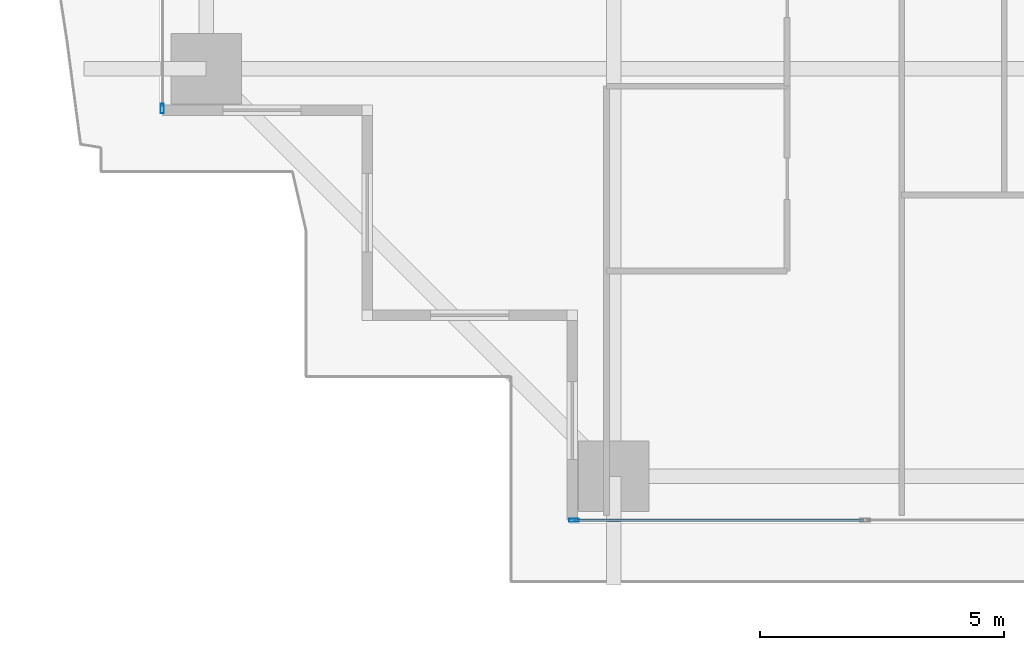
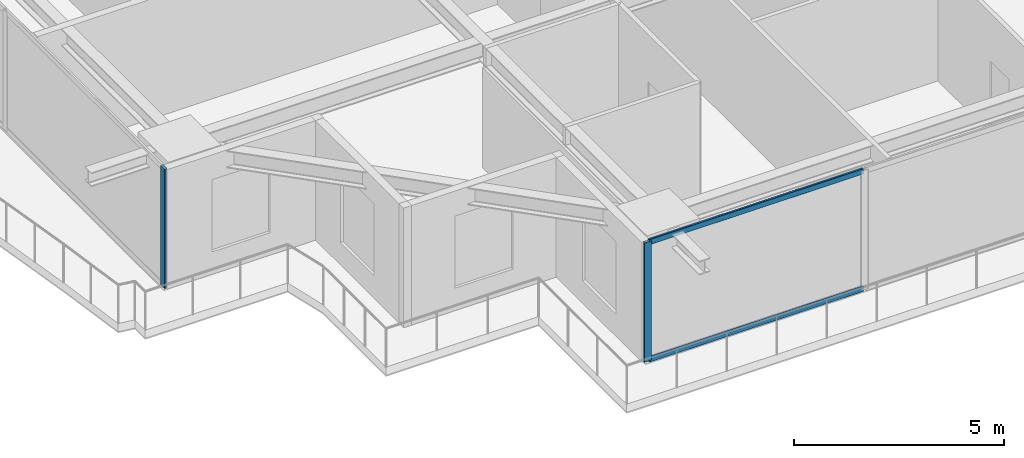
# One storey, part 2 of 34: 4 members, 2 elements without a shape of their own.
"""IFC4 building model written with IfcOpenShell, lengths in metres."""

from ifc_helpers import new_model, si_unit, direction, frame, origin, origin_2d, place, context, subcontext, project, spatial, hollow_rectangle, extrude, source, transform, mapped, material, layer, layer_set, material_profile, profile_set, type_object, element, aggregate, save


model = new_model("IFC4")

# Units and contexts
model_context = context("Model", 3, precision=1e-05, world=origin(), true_north=direction((0.0, 1.0)))
body_context = subcontext(model_context, "Body", "Model", "MODEL_VIEW")
ifc_project = project(units=[si_unit("LENGTHUNIT", "METRE"), si_unit("AREAUNIT", "SQUARE_METRE"), si_unit("VOLUMEUNIT", "CUBIC_METRE"), si_unit("PLANEANGLEUNIT", "RADIAN"), si_unit("MASSUNIT", "GRAM", prefix="KILO")], contexts=[model_context])

# Site, building, storey
site_placement = place(None, origin())
site = spatial("IfcSite", under=ifc_project, at=site_placement, CompositionType="ELEMENT")
building_placement = place(site_placement, origin())
building = spatial("IfcBuilding", under=site, at=building_placement, Name="Serunith Strait Residences", CompositionType="ELEMENT")
storey_placement = place(building_placement, frame((0.0, 0.0, 101.699951171875)))
storey = spatial("IfcBuildingStorey", under=building, at=storey_placement, Name="L25", CompositionType="ELEMENT", Elevation=101.699951171875)

# Curtain wall, member
ifc_material = material(Name="Pale-Champagne Anodised Aluminium", Category="aluminium")
ifc_layer = layer(ifc_material, 0.199951171875, Name="Pale-Champagne Anodised Aluminium")
ifc_layer_set = layer_set([ifc_layer], Name="Pale-Champagne Anodised Aluminium")
curtain_wall_type = type_object("IfcCurtainWallType", Name="CW-SYS1", PredefinedType="NOTDEFINED", material=ifc_layer_set)
curtain_wall_1_placement = place(storey_placement, origin())
curtain_wall_1 = element("IfcCurtainWall", 1, at=curtain_wall_1_placement, inside=storey, type_object=curtain_wall_type, Name="L25 S Unitised Fritted Curtain Wall", PredefinedType="NOTDEFINED")
ifc_material_profile_1 = material_profile(ifc_material, hollow_rectangle(XDim=0.070068359375, YDim=0.199951171875, WallThickness=0.00390625, InnerFilletRadius=0.006103515625, OuterFilletRadius=0.010009765625, at=origin_2d()), Name="ALU 200x70x4")
ifc_profile_set_1 = profile_set([ifc_material_profile_1], Name="Pale-Champagne Anodised Aluminium")
member_type_1 = type_object("IfcMemberType", Name="CW-SYS1-MULL", PredefinedType="MULLION", material=ifc_profile_set_1)
shared_shape_1 = source(origin(), body_context, "Body", "SweptSolid", [
    extrude(hollow_rectangle(XDim=0.070068359375, YDim=0.199951171875, WallThickness=0.00390625, InnerFilletRadius=0.006103515625, OuterFilletRadius=0.010009765625, at=origin_2d()), origin(), (0.0, 0.0, 1.0), 3.47509765625),
])
member_1_placement = place(storey_placement, frame((14.43505859375, 0.199951171875, 0.0), z_axis=(0.0, 0.0, 1.0), x_axis=(0.0, 1.0, 0.0)))
member_1 = element("IfcMember", 2, at=member_1_placement, type_object=member_type_1, Name="CW-1 mullion 1", PredefinedType="MULLION", context=body_context, shape_type="MappedRepresentation", body=[
    mapped(shared_shape_1, transform((0.0, 0.0, 0.0), scale=1.0)),
])

curtain_wall_2_placement = place(storey_placement, origin())
curtain_wall_2 = element("IfcCurtainWall", 3, at=curtain_wall_2_placement, inside=storey, type_object=curtain_wall_type, Name="L25 W Unitised Fritted Curtain Wall", PredefinedType="NOTDEFINED")
member_2_placement = place(storey_placement, frame((6.0, 8.635009765625, 0.0), z_axis=(0.0, 0.0, 1.0), x_axis=(1.0, 0.0, 0.0)))
member_2 = element("IfcMember", 4, at=member_2_placement, type_object=member_type_1, Name="CW-1 mullion 3", PredefinedType="MULLION", context=body_context, shape_type="MappedRepresentation", body=[
    mapped(shared_shape_1, transform((0.0, 0.0, 0.0), scale=1.0)),
])
aggregate(curtain_wall_2, [member_2])

# Member
ifc_material_profile_2 = material_profile(ifc_material, hollow_rectangle(XDim=0.06005859375, YDim=0.159912109375, WallThickness=0.00341796875, InnerFilletRadius=0.00537109375, OuterFilletRadius=0.0087890625, at=origin_2d()), Name="ALU 160x60x3.5")
ifc_profile_set_2 = profile_set([ifc_material_profile_2], Name="Pale-Champagne Anodised Aluminium")
member_type_2 = type_object("IfcMemberType", Name="CW-SYS1-TRAN", PredefinedType="USERDEFINED", material=ifc_profile_set_2)
shared_shape_2 = source(origin(), body_context, "Body", "SweptSolid", [
    extrude(hollow_rectangle(XDim=0.06005859375, YDim=0.159912109375, WallThickness=0.00341796875, InnerFilletRadius=0.00537109375, OuterFilletRadius=0.0087890625, at=origin_2d()), origin(), (0.0, 0.0, 1.0), 5.89501953125),
])
member_3_placement = place(storey_placement, frame((14.469970703125, 0.199951171875, 0.030029296875), z_axis=(1.0, 0.0, 0.0), x_axis=(0.0, 1.0, 0.0)))
member_3 = element("IfcMember", 5, at=member_3_placement, type_object=member_type_2, Name="CW-1 transom 1.1", ObjectType="TRANSOM", PredefinedType="USERDEFINED", context=body_context, shape_type="MappedRepresentation", body=[
    mapped(shared_shape_2, transform((0.0, 0.0, 0.0), scale=1.0)),
])

member_4_placement = place(storey_placement, frame((14.469970703125, 0.199951171875, 3.445068359375), z_axis=(1.0, 0.0, 0.0), x_axis=(0.0, 1.0, 0.0)))
member_4 = element("IfcMember", 6, at=member_4_placement, type_object=member_type_2, Name="CW-1 transom 1.2", ObjectType="TRANSOM", PredefinedType="USERDEFINED", context=body_context, shape_type="MappedRepresentation", body=[
    mapped(shared_shape_2, transform((0.0, 0.0, 0.0), scale=1.0)),
])

aggregate(curtain_wall_1, [member_1, member_3, member_4])

save(model, "model.ifc")
